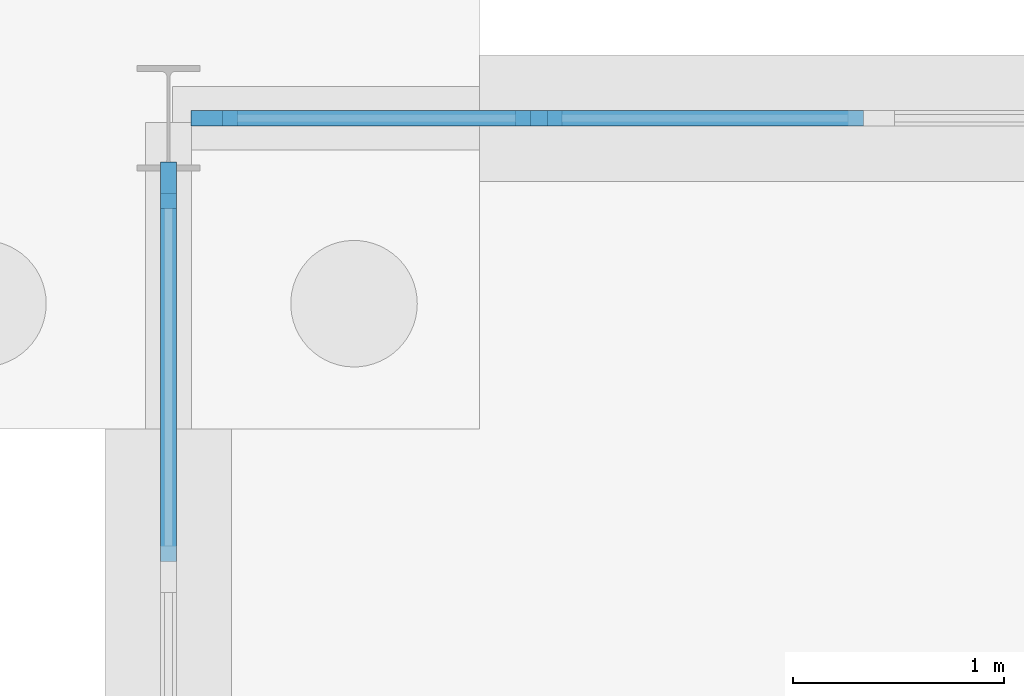
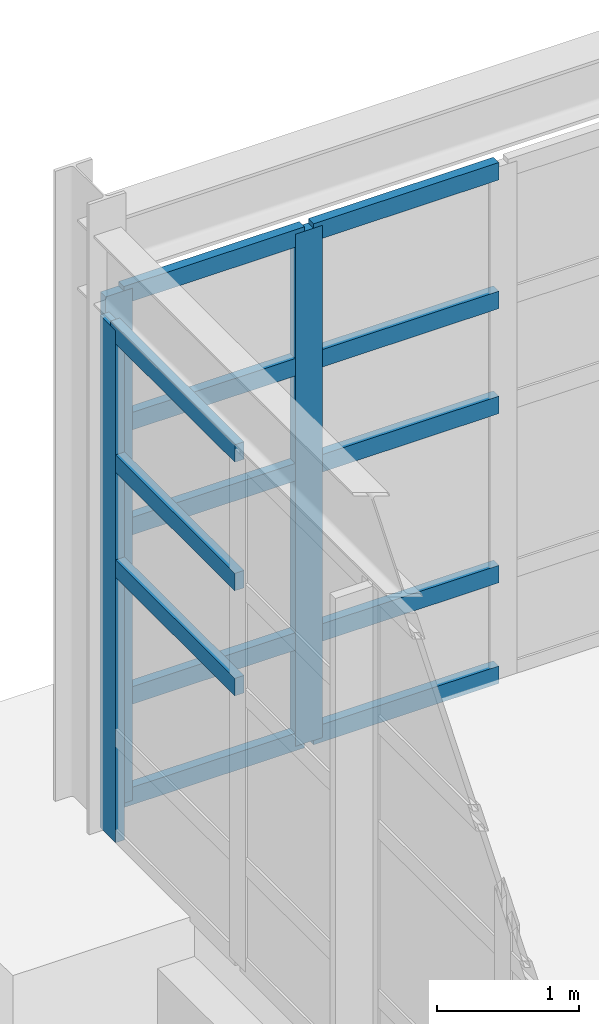
# One storey, part 62 of 145: 16 members, 2 elements without a shape of their own.
"""IFC4 building model written with IfcOpenShell, lengths in metres."""

from ifc_helpers import new_model, si_unit, direction, frame, origin, origin_2d, place, context, subcontext, project, spatial, rectangle, extrude, material, layer, layer_set, material_profile, profile_set, type_object, element, aggregate, save


model = new_model("IFC4")

# Units and contexts
model_context = context("Model", 3, precision=1e-05, world=origin(), true_north=direction((0.0, 1.0)))
body_context = subcontext(model_context, "Body", "Model", "MODEL_VIEW")
ifc_project = project(units=[si_unit("LENGTHUNIT", "METRE"), si_unit("AREAUNIT", "SQUARE_METRE"), si_unit("VOLUMEUNIT", "CUBIC_METRE"), si_unit("PLANEANGLEUNIT", "RADIAN"), si_unit("MASSUNIT", "GRAM", prefix="KILO"), si_unit("THERMODYNAMICTEMPERATUREUNIT", "KELVIN"), si_unit("POWERUNIT", "WATT")], contexts=[model_context])

# Site, building, storey
site_placement = place(None, origin())
site = spatial("IfcSite", under=ifc_project, at=site_placement, CompositionType="ELEMENT")
building_placement = place(site_placement, origin())
building = spatial("IfcBuilding", under=site, at=building_placement, Name="Korenveer Ferry Terminal", CompositionType="ELEMENT")
storey_placement = place(building_placement, origin())
storey = spatial("IfcBuildingStorey", under=building, at=storey_placement, Name="L00", CompositionType="ELEMENT", Elevation=0.0)

# Curtain wall, members
ifc_material_1 = material(Name="Unitised bronze-and-glass curtain wall", Category="glass")
ifc_layer_1 = layer(ifc_material_1, 0.219970703125)
ifc_layer_set_1 = layer_set([ifc_layer_1], Name="Unitised bronze-and-glass curtain wall")
curtain_wall_type_1 = type_object("IfcCurtainWallType", Name="ENV-CW-17", PredefinedType="USERDEFINED", material=ifc_layer_set_1)
curtain_wall_1_placement = place(storey_placement, frame((123.179931640625, 116.0, 0.0)))
curtain_wall_1 = element("IfcCurtainWall", 1, at=curtain_wall_1_placement, inside=storey, type_object=curtain_wall_type_1, Name="Lancet curtain wall CWX-L00-X123-136-Y116-116", ObjectType="UNITISED CURTAIN WALL", PredefinedType="USERDEFINED")
ifc_material_2 = material(Name="Anodised bronze aluminium", Category="aluminium")
ifc_material_profile_1 = material_profile(ifc_material_2, rectangle(XDim=0.074951171875, YDim=0.219970703125, at=origin_2d()), Name="ALU 75x220")
ifc_profile_set_1 = profile_set([ifc_material_profile_1], Name="Anodised bronze aluminium")
member_type_1 = type_object("IfcMemberType", Name="ENV-CWM-75X220", PredefinedType="MULLION", material=ifc_profile_set_1)
member_1_placement = place(storey_placement, frame((123.217529296875, 116.0, 0.0), z_axis=(0.0, 0.0, 1.0), x_axis=(0.0, 1.0, 0.0)))
member_1 = element("IfcMember", 2, at=member_1_placement, type_object=member_type_1, Name="CW-17 mullion 1", PredefinedType="MULLION", context=body_context, shape_type="SweptSolid", body=[
    extrude(rectangle(XDim=0.074951171875, YDim=0.219970703125, at=origin_2d()), origin(), (0.0, 0.0, 1.0), 4.389892578125),
])
member_2_placement = place(storey_placement, frame((124.756591796875, 116.0, 0.0), z_axis=(0.0, 0.0, 1.0), x_axis=(0.0, 1.0, 0.0)))
member_2 = element("IfcMember", 3, at=member_2_placement, type_object=member_type_1, Name="CW-17 mullion 2", PredefinedType="MULLION", context=body_context, shape_type="SweptSolid", body=[
    extrude(rectangle(XDim=0.074951171875, YDim=0.219970703125, at=origin_2d()), origin(), (0.0, 0.0, 1.0), 4.389892578125),
])

# Curtain wall, member
ifc_layer_2 = layer(ifc_material_1, 0.219970703125)
ifc_layer_set_2 = layer_set([ifc_layer_2], Name="Unitised bronze-and-glass curtain wall")
curtain_wall_type_2 = type_object("IfcCurtainWallType", Name="ENV-CW-29", PredefinedType="USERDEFINED", material=ifc_layer_set_2)
curtain_wall_2_placement = place(storey_placement, frame((123.0, 108.280029296875, 0.0)))
curtain_wall_2 = element("IfcCurtainWall", 4, at=curtain_wall_2_placement, inside=storey, type_object=curtain_wall_type_2, Name="Lancet curtain wall CWX-L00-X123-123-Y108-116", ObjectType="UNITISED CURTAIN WALL", PredefinedType="USERDEFINED")
member_3_placement = place(storey_placement, frame((123.0, 115.6826171875, 0.0), z_axis=(0.0, 0.0, 1.0), x_axis=(-1.0, 0.0, 0.0)))
member_3 = element("IfcMember", 5, at=member_3_placement, type_object=member_type_1, Name="CW-29 mullion 5", PredefinedType="MULLION", context=body_context, shape_type="SweptSolid", body=[
    extrude(rectangle(XDim=0.074951171875, YDim=0.219970703125, at=origin_2d()), origin(), (0.0, 0.0, 1.0), 4.389892578125),
])

# Member
ifc_material_profile_2 = material_profile(ifc_material_2, rectangle(XDim=0.074951171875, YDim=0.14990234375, at=origin_2d()), Name="ALU 75x150")
ifc_profile_set_2 = profile_set([ifc_material_profile_2], Name="Anodised bronze aluminium")
member_type_2 = type_object("IfcMemberType", Name="ENV-CWT-75X150", PredefinedType="USERDEFINED", material=ifc_profile_set_2)
member_4_placement = place(storey_placement, frame((123.2548828125, 116.0, 0.03759765625), z_axis=(1.0, 0.0, 0.0), x_axis=(0.0, 1.0, 0.0)))
member_4 = element("IfcMember", 6, at=member_4_placement, type_object=member_type_2, Name="CW-17 transom 1.1", ObjectType="TRANSOM", PredefinedType="USERDEFINED", context=body_context, shape_type="SweptSolid", body=[
    extrude(rectangle(XDim=0.074951171875, YDim=0.14990234375, at=origin_2d()), origin(), (0.0, 0.0, 1.0), 1.464111328125),
])

member_5_placement = place(storey_placement, frame((123.2548828125, 116.0, 0.89990234375), z_axis=(1.0, 0.0, 0.0), x_axis=(0.0, 1.0, 0.0)))
member_5 = element("IfcMember", 7, at=member_5_placement, type_object=member_type_2, Name="CW-17 transom 1.2", ObjectType="TRANSOM", PredefinedType="USERDEFINED", context=body_context, shape_type="SweptSolid", body=[
    extrude(rectangle(XDim=0.074951171875, YDim=0.14990234375, at=origin_2d()), origin(), (0.0, 0.0, 1.0), 1.464111328125),
])

member_6_placement = place(storey_placement, frame((123.2548828125, 116.0, 2.35009765625), z_axis=(1.0, 0.0, 0.0), x_axis=(0.0, 1.0, 0.0)))
member_6 = element("IfcMember", 8, at=member_6_placement, type_object=member_type_2, Name="CW-17 transom 1.3", ObjectType="TRANSOM", PredefinedType="USERDEFINED", context=body_context, shape_type="SweptSolid", body=[
    extrude(rectangle(XDim=0.074951171875, YDim=0.14990234375, at=origin_2d()), origin(), (0.0, 0.0, 1.0), 1.464111328125),
])

member_7_placement = place(storey_placement, frame((123.2548828125, 116.0, 3.25), z_axis=(1.0, 0.0, 0.0), x_axis=(0.0, 1.0, 0.0)))
member_7 = element("IfcMember", 9, at=member_7_placement, type_object=member_type_2, Name="CW-17 transom 1.4", ObjectType="TRANSOM", PredefinedType="USERDEFINED", context=body_context, shape_type="SweptSolid", body=[
    extrude(rectangle(XDim=0.074951171875, YDim=0.14990234375, at=origin_2d()), origin(), (0.0, 0.0, 1.0), 1.464111328125),
])

member_8_placement = place(storey_placement, frame((123.2548828125, 116.0, 4.3525390625), z_axis=(1.0, 0.0, 0.0), x_axis=(0.0, 1.0, 0.0)))
member_8 = element("IfcMember", 10, at=member_8_placement, type_object=member_type_2, Name="CW-17 transom 1.5", ObjectType="TRANSOM", PredefinedType="USERDEFINED", context=body_context, shape_type="SweptSolid", body=[
    extrude(rectangle(XDim=0.074951171875, YDim=0.14990234375, at=origin_2d()), origin(), (0.0, 0.0, 1.0), 1.464111328125),
])

member_9_placement = place(storey_placement, frame((124.7939453125, 116.0, 0.03759765625), z_axis=(1.0, 0.0, 0.0), x_axis=(0.0, 1.0, 0.0)))
member_9 = element("IfcMember", 11, at=member_9_placement, type_object=member_type_2, Name="CW-17 transom 2.1", ObjectType="TRANSOM", PredefinedType="USERDEFINED", context=body_context, shape_type="SweptSolid", body=[
    extrude(rectangle(XDim=0.074951171875, YDim=0.14990234375, at=origin_2d()), origin(), (0.0, 0.0, 1.0), 1.501708984375),
])

member_10_placement = place(storey_placement, frame((124.7939453125, 116.0, 0.89990234375), z_axis=(1.0, 0.0, 0.0), x_axis=(0.0, 1.0, 0.0)))
member_10 = element("IfcMember", 12, at=member_10_placement, type_object=member_type_2, Name="CW-17 transom 2.2", ObjectType="TRANSOM", PredefinedType="USERDEFINED", context=body_context, shape_type="SweptSolid", body=[
    extrude(rectangle(XDim=0.074951171875, YDim=0.14990234375, at=origin_2d()), origin(), (0.0, 0.0, 1.0), 1.501708984375),
])

member_11_placement = place(storey_placement, frame((124.7939453125, 116.0, 2.35009765625), z_axis=(1.0, 0.0, 0.0), x_axis=(0.0, 1.0, 0.0)))
member_11 = element("IfcMember", 13, at=member_11_placement, type_object=member_type_2, Name="CW-17 transom 2.3", ObjectType="TRANSOM", PredefinedType="USERDEFINED", context=body_context, shape_type="SweptSolid", body=[
    extrude(rectangle(XDim=0.074951171875, YDim=0.14990234375, at=origin_2d()), origin(), (0.0, 0.0, 1.0), 1.501708984375),
])

member_12_placement = place(storey_placement, frame((124.7939453125, 116.0, 3.25), z_axis=(1.0, 0.0, 0.0), x_axis=(0.0, 1.0, 0.0)))
member_12 = element("IfcMember", 14, at=member_12_placement, type_object=member_type_2, Name="CW-17 transom 2.4", ObjectType="TRANSOM", PredefinedType="USERDEFINED", context=body_context, shape_type="SweptSolid", body=[
    extrude(rectangle(XDim=0.074951171875, YDim=0.14990234375, at=origin_2d()), origin(), (0.0, 0.0, 1.0), 1.501708984375),
])

member_13_placement = place(storey_placement, frame((124.7939453125, 116.0, 4.3525390625), z_axis=(1.0, 0.0, 0.0), x_axis=(0.0, 1.0, 0.0)))
member_13 = element("IfcMember", 15, at=member_13_placement, type_object=member_type_2, Name="CW-17 transom 2.5", ObjectType="TRANSOM", PredefinedType="USERDEFINED", context=body_context, shape_type="SweptSolid", body=[
    extrude(rectangle(XDim=0.074951171875, YDim=0.14990234375, at=origin_2d()), origin(), (0.0, 0.0, 1.0), 1.501708984375),
])

aggregate(curtain_wall_1, [member_1, member_2, member_4, member_5, member_6, member_7, member_8, member_9, member_10, member_11, member_12, member_13])

member_14_placement = place(storey_placement, frame((123.0, 113.8974609375, 2.35009765625), z_axis=(0.0, 1.0, 0.0), x_axis=(-1.0, 0.0, 0.0)))
member_14 = element("IfcMember", 16, at=member_14_placement, type_object=member_type_2, Name="CW-29 transom 4.3", ObjectType="TRANSOM", PredefinedType="USERDEFINED", context=body_context, shape_type="SweptSolid", body=[
    extrude(rectangle(XDim=0.074951171875, YDim=0.14990234375, at=origin_2d()), origin(), (0.0, 0.0, 1.0), 1.74755859375),
])

member_15_placement = place(storey_placement, frame((123.0, 113.8974609375, 3.25), z_axis=(0.0, 1.0, 0.0), x_axis=(-1.0, 0.0, 0.0)))
member_15 = element("IfcMember", 17, at=member_15_placement, type_object=member_type_2, Name="CW-29 transom 4.4", ObjectType="TRANSOM", PredefinedType="USERDEFINED", context=body_context, shape_type="SweptSolid", body=[
    extrude(rectangle(XDim=0.074951171875, YDim=0.14990234375, at=origin_2d()), origin(), (0.0, 0.0, 1.0), 1.74755859375),
])

member_16_placement = place(storey_placement, frame((123.0, 113.8974609375, 4.3525390625), z_axis=(0.0, 1.0, 0.0), x_axis=(-1.0, 0.0, 0.0)))
member_16 = element("IfcMember", 18, at=member_16_placement, type_object=member_type_2, Name="CW-29 transom 4.5", ObjectType="TRANSOM", PredefinedType="USERDEFINED", context=body_context, shape_type="SweptSolid", body=[
    extrude(rectangle(XDim=0.074951171875, YDim=0.14990234375, at=origin_2d()), origin(), (0.0, 0.0, 1.0), 1.74755859375),
])

aggregate(curtain_wall_2, [member_3, member_14, member_15, member_16])

save(model, "model.ifc")
